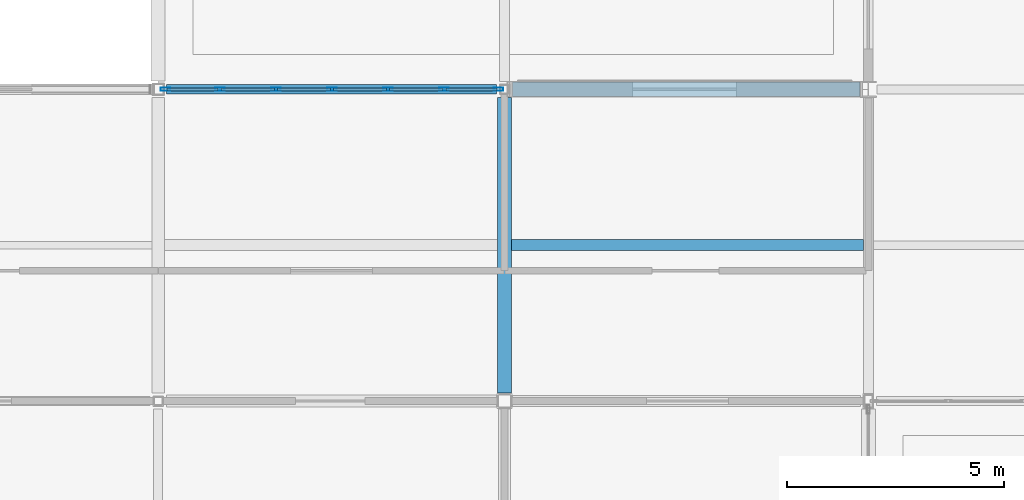
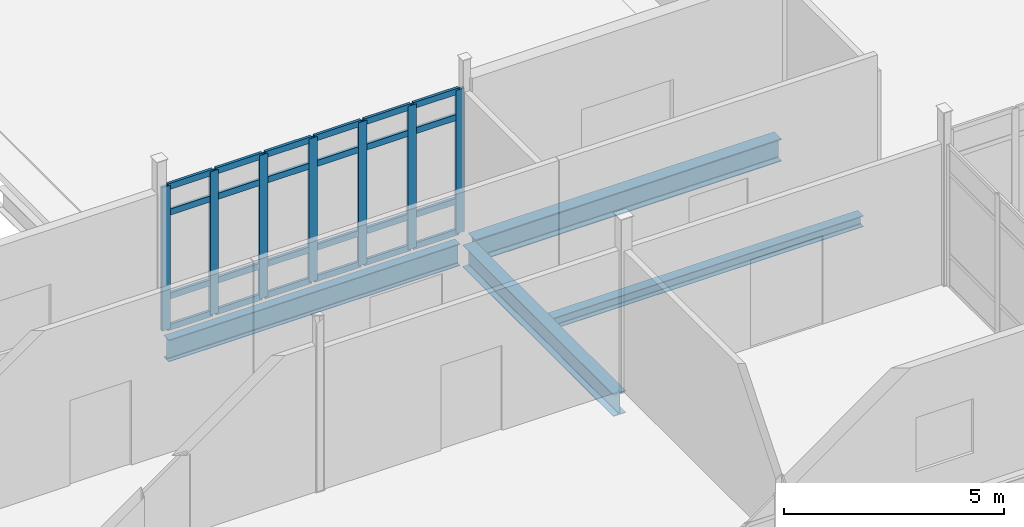
# One storey, part 55 of 186: 31 members, 4 beams, 1 element without a shape of its own.
"""IFC4 building model written with IfcOpenShell, lengths in metres."""

from ifc_helpers import new_model, si_unit, direction, frame, origin, origin_2d, place, context, subcontext, project, spatial, hollow_rectangle, i_section, extrude, material, layer, layer_set, material_profile, profile_set, type_object, element, aggregate, save


model = new_model("IFC4")

# Units and contexts
model_context = context("Model", 3, precision=1e-05, world=origin(), true_north=direction((0.0, 1.0)))
body_context = subcontext(model_context, "Body", "Model", "MODEL_VIEW")
ifc_project = project(units=[si_unit("LENGTHUNIT", "METRE"), si_unit("AREAUNIT", "SQUARE_METRE"), si_unit("VOLUMEUNIT", "CUBIC_METRE"), si_unit("PLANEANGLEUNIT", "RADIAN"), si_unit("MASSUNIT", "GRAM", prefix="KILO")], contexts=[model_context])

# Site, building, storey
site_placement = place(None, origin())
site = spatial("IfcSite", under=ifc_project, at=site_placement, CompositionType="ELEMENT")
building_placement = place(site_placement, origin())
building = spatial("IfcBuilding", under=site, at=building_placement, Name="Calvrana Isthmian Art Gallery", CompositionType="ELEMENT")
storey_placement = place(building_placement, frame((0.0, 0.0, 5.39990234375)))
storey = spatial("IfcBuildingStorey", under=building, at=storey_placement, Name="L01", CompositionType="ELEMENT", Elevation=5.39990234375)

# Beams
ifc_material_1 = material(Name="Steel ASTM A992 Gr 50", Category="steel")
ifc_material_profile_1 = material_profile(ifc_material_1, i_section(OverallWidth=0.324951171875, OverallDepth=0.612060546875, WebThickness=0.0126953125, FlangeThickness=0.01904296875, FilletRadius=0.02197265625, at=origin_2d()), Name="W24X104")
ifc_profile_set_1 = profile_set([ifc_material_profile_1], Name="Steel ASTM A992 Gr 50")
beam_type_1 = type_object("IfcBeamType", Name="BM-G-W24X104", PredefinedType="BEAM", material=ifc_profile_set_1)
beam_1_placement = place(storey_placement, frame((104.39990234375, 7.381591796875, -0.55078125), z_axis=(0.0, 1.0, 0.0), x_axis=(-1.0, 0.0, 0.0)))
element("IfcBeam", 1, at=beam_1_placement, inside=storey, type_object=beam_type_1, Name="Girder Y L01 14/B-C", PredefinedType="BEAM", context=body_context, shape_type="SweptSolid", body=[
    extrude(i_section(OverallWidth=0.324951171875, OverallDepth=0.612060546875, WebThickness=0.0126953125, FlangeThickness=0.01904296875, FilletRadius=0.02197265625, at=origin_2d()), origin(), (0.0, 0.0, 1.0), 6.83447265625),
])
ifc_material_profile_2 = material_profile(ifc_material_1, i_section(OverallWidth=0.327880859375, OverallDepth=0.6220703125, WebThickness=0.015380859375, FlangeThickness=0.0244140625, FilletRadius=0.02197265625, at=origin_2d()), Name="W24X131")
ifc_profile_set_2 = profile_set([ifc_material_profile_2], Name="Steel ASTM A992 Gr 50")
beam_type_2 = type_object("IfcBeamType", Name="BM-G-W24X131", PredefinedType="BEAM", material=ifc_profile_set_2)
beam_2_placement = place(storey_placement, frame((104.58642578125, 14.39990234375, -0.555908203125), z_axis=(1.0, 0.0, 0.0), x_axis=(0.0, 1.0, 0.0)))
element("IfcBeam", 2, at=beam_2_placement, inside=storey, type_object=beam_type_2, Name="Girder X L01 14-15/C", PredefinedType="BEAM", context=body_context, shape_type="SweptSolid", body=[
    extrude(i_section(OverallWidth=0.327880859375, OverallDepth=0.6220703125, WebThickness=0.015380859375, FlangeThickness=0.0244140625, FilletRadius=0.02197265625, at=origin_2d()), origin(), (0.0, 0.0, 1.0), 8.0166015625),
])
ifc_material_profile_3 = material_profile(ifc_material_1, i_section(OverallWidth=0.22802734375, OverallDepth=0.60693359375, WebThickness=0.01123046875, FlangeThickness=0.017333984375, FilletRadius=0.02197265625, at=origin_2d()), Name="W24X76")
ifc_profile_set_3 = profile_set([ifc_material_profile_3], Name="Steel ASTM A992 Gr 50")
beam_type_3 = type_object("IfcBeamType", Name="BM-G-W24X76", PredefinedType="BEAM", material=ifc_profile_set_3)
beam_3_placement = place(storey_placement, frame((96.58642578125, 14.39990234375, -0.54833984375), z_axis=(1.0, 0.0, 0.0), x_axis=(0.0, 1.0, 0.0)))
element("IfcBeam", 3, at=beam_3_placement, inside=storey, type_object=beam_type_3, Name="Girder X L01 13-14/C", PredefinedType="BEAM", context=body_context, shape_type="SweptSolid", body=[
    extrude(i_section(OverallWidth=0.22802734375, OverallDepth=0.60693359375, WebThickness=0.01123046875, FlangeThickness=0.017333984375, FilletRadius=0.02197265625, at=origin_2d()), origin(), (0.0, 0.0, 1.0), 7.626953125),
])
ifc_material_profile_4 = material_profile(ifc_material_1, i_section(OverallWidth=0.25390625, OverallDepth=0.306884765625, WebThickness=0.0087890625, FlangeThickness=0.0146484375, FilletRadius=0.01611328125, at=origin_2d()), Name="W12X53")
ifc_profile_set_4 = profile_set([ifc_material_profile_4], Name="Steel ASTM A992 Gr 50")
beam_type_4 = type_object("IfcBeamType", Name="BM-J-W12X53", PredefinedType="JOIST", material=ifc_profile_set_4)
beam_4_placement = place(storey_placement, frame((104.5625, 10.800048828125, -0.3984375), z_axis=(1.0, 0.0, 0.0), x_axis=(0.0, 1.0, 0.0)))
element("IfcBeam", 4, at=beam_4_placement, inside=storey, type_object=beam_type_4, Name="Composite joist L01 bay 13-01", PredefinedType="JOIST", context=body_context, shape_type="SweptSolid", body=[
    extrude(i_section(OverallWidth=0.25390625, OverallDepth=0.306884765625, WebThickness=0.0087890625, FlangeThickness=0.0146484375, FilletRadius=0.01611328125, at=origin_2d()), origin(), (0.0, 0.0, 1.0), 8.12353515625),
])

# Curtain wall, members
ifc_material_2 = material(Name="Anodized bronze aluminium 6063-T6", Category="aluminium")
ifc_layer = layer(ifc_material_2, 0.179931640625, Name="Anodized bronze aluminium 6063-T6")
ifc_layer_set = layer_set([ifc_layer], Name="Anodized bronze aluminium 6063-T6")
curtain_wall_type = type_object("IfcCurtainWallType", Name="CW-UNIT-078X40", PredefinedType="USERDEFINED", material=ifc_layer_set)
curtain_wall_placement = place(storey_placement, origin())
curtain_wall = element("IfcCurtainWall", 5, at=curtain_wall_placement, inside=storey, type_object=curtain_wall_type, Name="Curtain wall CW-088", ObjectType="UNITISED CURTAIN WALL", PredefinedType="USERDEFINED")
ifc_material_profile_5 = material_profile(ifc_material_2, hollow_rectangle(XDim=0.074951171875, YDim=0.219970703125, WallThickness=0.0048828125, at=origin_2d()), Name="CWM75X220")
ifc_profile_set_5 = profile_set([ifc_material_profile_5], Name="Anodized bronze aluminium 6063-T6")
member_type_1 = type_object("IfcMemberType", Name="CWM-CWM75X220", PredefinedType="MULLION", material=ifc_profile_set_5)
member_1_placement = place(storey_placement, frame((96.564453125, 14.39990234375, 0.0), z_axis=(0.0, 0.0, 1.0), x_axis=(0.0, 1.0, 0.0)))
member_1 = element("IfcMember", 6, at=member_1_placement, type_object=member_type_1, Name="CW-088 mullion 1", PredefinedType="MULLION", context=body_context, shape_type="SweptSolid", body=[
    extrude(hollow_rectangle(XDim=0.074951171875, YDim=0.219970703125, WallThickness=0.0048828125, at=origin_2d()), origin(), (0.0, 0.0, 1.0), 3.97119140625),
])
member_2_placement = place(storey_placement, frame((97.822265625, 14.39990234375, 0.0), z_axis=(0.0, 0.0, 1.0), x_axis=(0.0, 1.0, 0.0)))
member_2 = element("IfcMember", 7, at=member_2_placement, type_object=member_type_1, Name="CW-088 mullion 2", PredefinedType="MULLION", context=body_context, shape_type="SweptSolid", body=[
    extrude(hollow_rectangle(XDim=0.074951171875, YDim=0.219970703125, WallThickness=0.0048828125, at=origin_2d()), origin(), (0.0, 0.0, 1.0), 3.97119140625),
])
member_3_placement = place(storey_placement, frame((99.117431640625, 14.39990234375, 0.0), z_axis=(0.0, 0.0, 1.0), x_axis=(0.0, 1.0, 0.0)))
member_3 = element("IfcMember", 8, at=member_3_placement, type_object=member_type_1, Name="CW-088 mullion 3", PredefinedType="MULLION", context=body_context, shape_type="SweptSolid", body=[
    extrude(hollow_rectangle(XDim=0.074951171875, YDim=0.219970703125, WallThickness=0.0048828125, at=origin_2d()), origin(), (0.0, 0.0, 1.0), 3.97119140625),
])
member_4_placement = place(storey_placement, frame((100.41259765625, 14.39990234375, 0.0), z_axis=(0.0, 0.0, 1.0), x_axis=(0.0, 1.0, 0.0)))
member_4 = element("IfcMember", 9, at=member_4_placement, type_object=member_type_1, Name="CW-088 mullion 4", PredefinedType="MULLION", context=body_context, shape_type="SweptSolid", body=[
    extrude(hollow_rectangle(XDim=0.074951171875, YDim=0.219970703125, WallThickness=0.0048828125, at=origin_2d()), origin(), (0.0, 0.0, 1.0), 3.97119140625),
])
member_5_placement = place(storey_placement, frame((101.7080078125, 14.39990234375, 0.0), z_axis=(0.0, 0.0, 1.0), x_axis=(0.0, 1.0, 0.0)))
member_5 = element("IfcMember", 10, at=member_5_placement, type_object=member_type_1, Name="CW-088 mullion 5", PredefinedType="MULLION", context=body_context, shape_type="SweptSolid", body=[
    extrude(hollow_rectangle(XDim=0.074951171875, YDim=0.219970703125, WallThickness=0.0048828125, at=origin_2d()), origin(), (0.0, 0.0, 1.0), 3.97119140625),
])
member_6_placement = place(storey_placement, frame((103.003173828125, 14.39990234375, 0.0), z_axis=(0.0, 0.0, 1.0), x_axis=(0.0, 1.0, 0.0)))
member_6 = element("IfcMember", 11, at=member_6_placement, type_object=member_type_1, Name="CW-088 mullion 6", PredefinedType="MULLION", context=body_context, shape_type="SweptSolid", body=[
    extrude(hollow_rectangle(XDim=0.074951171875, YDim=0.219970703125, WallThickness=0.0048828125, at=origin_2d()), origin(), (0.0, 0.0, 1.0), 3.97119140625),
])
member_7_placement = place(storey_placement, frame((104.260986328125, 14.39990234375, 0.0), z_axis=(0.0, 0.0, 1.0), x_axis=(0.0, 1.0, 0.0)))
member_7 = element("IfcMember", 12, at=member_7_placement, type_object=member_type_1, Name="CW-088 mullion 7", PredefinedType="MULLION", context=body_context, shape_type="SweptSolid", body=[
    extrude(hollow_rectangle(XDim=0.074951171875, YDim=0.219970703125, WallThickness=0.0048828125, at=origin_2d()), origin(), (0.0, 0.0, 1.0), 3.97119140625),
])
ifc_material_profile_6 = material_profile(ifc_material_2, hollow_rectangle(XDim=0.070068359375, YDim=0.169921875, WallThickness=0.00439453125, at=origin_2d()), Name="CWT70X170")
ifc_profile_set_6 = profile_set([ifc_material_profile_6], Name="Anodized bronze aluminium 6063-T6")
member_type_2 = type_object("IfcMemberType", Name="CWT-CWT70X170", PredefinedType="USERDEFINED", material=ifc_profile_set_6)
member_8_placement = place(storey_placement, frame((96.60205078125, 14.39990234375, 0.03515625), z_axis=(1.0, 0.0, 0.0), x_axis=(0.0, 1.0, 0.0)))
member_8 = element("IfcMember", 13, at=member_8_placement, type_object=member_type_2, Name="CW-088 transom 1.1", ObjectType="TRANSOM", PredefinedType="USERDEFINED", context=body_context, shape_type="SweptSolid", body=[
    extrude(hollow_rectangle(XDim=0.070068359375, YDim=0.169921875, WallThickness=0.00439453125, at=origin_2d()), origin(), (0.0, 0.0, 1.0), 1.1826171875),
])
member_9_placement = place(storey_placement, frame((96.60205078125, 14.39990234375, 0.900146484375), z_axis=(1.0, 0.0, 0.0), x_axis=(0.0, 1.0, 0.0)))
member_9 = element("IfcMember", 14, at=member_9_placement, type_object=member_type_2, Name="CW-088 transom 1.2", ObjectType="TRANSOM", PredefinedType="USERDEFINED", context=body_context, shape_type="SweptSolid", body=[
    extrude(hollow_rectangle(XDim=0.070068359375, YDim=0.169921875, WallThickness=0.00439453125, at=origin_2d()), origin(), (0.0, 0.0, 1.0), 1.1826171875),
])
member_10_placement = place(storey_placement, frame((96.60205078125, 14.39990234375, 3.22119140625), z_axis=(1.0, 0.0, 0.0), x_axis=(0.0, 1.0, 0.0)))
member_10 = element("IfcMember", 15, at=member_10_placement, type_object=member_type_2, Name="CW-088 transom 1.3", ObjectType="TRANSOM", PredefinedType="USERDEFINED", context=body_context, shape_type="SweptSolid", body=[
    extrude(hollow_rectangle(XDim=0.070068359375, YDim=0.169921875, WallThickness=0.00439453125, at=origin_2d()), origin(), (0.0, 0.0, 1.0), 1.1826171875),
])
member_11_placement = place(storey_placement, frame((96.60205078125, 14.39990234375, 3.93603515625), z_axis=(1.0, 0.0, 0.0), x_axis=(0.0, 1.0, 0.0)))
member_11 = element("IfcMember", 16, at=member_11_placement, type_object=member_type_2, Name="CW-088 transom 1.4", ObjectType="TRANSOM", PredefinedType="USERDEFINED", context=body_context, shape_type="SweptSolid", body=[
    extrude(hollow_rectangle(XDim=0.070068359375, YDim=0.169921875, WallThickness=0.00439453125, at=origin_2d()), origin(), (0.0, 0.0, 1.0), 1.1826171875),
])
member_12_placement = place(storey_placement, frame((97.859619140625, 14.39990234375, 0.03515625), z_axis=(1.0, 0.0, 0.0), x_axis=(0.0, 1.0, 0.0)))
member_12 = element("IfcMember", 17, at=member_12_placement, type_object=member_type_2, Name="CW-088 transom 2.1", ObjectType="TRANSOM", PredefinedType="USERDEFINED", context=body_context, shape_type="SweptSolid", body=[
    extrude(hollow_rectangle(XDim=0.070068359375, YDim=0.169921875, WallThickness=0.00439453125, at=origin_2d()), origin(), (0.0, 0.0, 1.0), 1.220458984375),
])
member_13_placement = place(storey_placement, frame((97.859619140625, 14.39990234375, 0.900146484375), z_axis=(1.0, 0.0, 0.0), x_axis=(0.0, 1.0, 0.0)))
member_13 = element("IfcMember", 18, at=member_13_placement, type_object=member_type_2, Name="CW-088 transom 2.2", ObjectType="TRANSOM", PredefinedType="USERDEFINED", context=body_context, shape_type="SweptSolid", body=[
    extrude(hollow_rectangle(XDim=0.070068359375, YDim=0.169921875, WallThickness=0.00439453125, at=origin_2d()), origin(), (0.0, 0.0, 1.0), 1.220458984375),
])
member_14_placement = place(storey_placement, frame((97.859619140625, 14.39990234375, 3.22119140625), z_axis=(1.0, 0.0, 0.0), x_axis=(0.0, 1.0, 0.0)))
member_14 = element("IfcMember", 19, at=member_14_placement, type_object=member_type_2, Name="CW-088 transom 2.3", ObjectType="TRANSOM", PredefinedType="USERDEFINED", context=body_context, shape_type="SweptSolid", body=[
    extrude(hollow_rectangle(XDim=0.070068359375, YDim=0.169921875, WallThickness=0.00439453125, at=origin_2d()), origin(), (0.0, 0.0, 1.0), 1.220458984375),
])
member_15_placement = place(storey_placement, frame((97.859619140625, 14.39990234375, 3.93603515625), z_axis=(1.0, 0.0, 0.0), x_axis=(0.0, 1.0, 0.0)))
member_15 = element("IfcMember", 20, at=member_15_placement, type_object=member_type_2, Name="CW-088 transom 2.4", ObjectType="TRANSOM", PredefinedType="USERDEFINED", context=body_context, shape_type="SweptSolid", body=[
    extrude(hollow_rectangle(XDim=0.070068359375, YDim=0.169921875, WallThickness=0.00439453125, at=origin_2d()), origin(), (0.0, 0.0, 1.0), 1.220458984375),
])
member_16_placement = place(storey_placement, frame((99.155029296875, 14.39990234375, 0.03515625), z_axis=(1.0, 0.0, 0.0), x_axis=(0.0, 1.0, 0.0)))
member_16 = element("IfcMember", 21, at=member_16_placement, type_object=member_type_2, Name="CW-088 transom 3.1", ObjectType="TRANSOM", PredefinedType="USERDEFINED", context=body_context, shape_type="SweptSolid", body=[
    extrude(hollow_rectangle(XDim=0.070068359375, YDim=0.169921875, WallThickness=0.00439453125, at=origin_2d()), origin(), (0.0, 0.0, 1.0), 1.22021484375),
])
member_17_placement = place(storey_placement, frame((99.155029296875, 14.39990234375, 0.900146484375), z_axis=(1.0, 0.0, 0.0), x_axis=(0.0, 1.0, 0.0)))
member_17 = element("IfcMember", 22, at=member_17_placement, type_object=member_type_2, Name="CW-088 transom 3.2", ObjectType="TRANSOM", PredefinedType="USERDEFINED", context=body_context, shape_type="SweptSolid", body=[
    extrude(hollow_rectangle(XDim=0.070068359375, YDim=0.169921875, WallThickness=0.00439453125, at=origin_2d()), origin(), (0.0, 0.0, 1.0), 1.22021484375),
])
member_18_placement = place(storey_placement, frame((99.155029296875, 14.39990234375, 3.22119140625), z_axis=(1.0, 0.0, 0.0), x_axis=(0.0, 1.0, 0.0)))
member_18 = element("IfcMember", 23, at=member_18_placement, type_object=member_type_2, Name="CW-088 transom 3.3", ObjectType="TRANSOM", PredefinedType="USERDEFINED", context=body_context, shape_type="SweptSolid", body=[
    extrude(hollow_rectangle(XDim=0.070068359375, YDim=0.169921875, WallThickness=0.00439453125, at=origin_2d()), origin(), (0.0, 0.0, 1.0), 1.22021484375),
])
member_19_placement = place(storey_placement, frame((99.155029296875, 14.39990234375, 3.93603515625), z_axis=(1.0, 0.0, 0.0), x_axis=(0.0, 1.0, 0.0)))
member_19 = element("IfcMember", 24, at=member_19_placement, type_object=member_type_2, Name="CW-088 transom 3.4", ObjectType="TRANSOM", PredefinedType="USERDEFINED", context=body_context, shape_type="SweptSolid", body=[
    extrude(hollow_rectangle(XDim=0.070068359375, YDim=0.169921875, WallThickness=0.00439453125, at=origin_2d()), origin(), (0.0, 0.0, 1.0), 1.22021484375),
])
member_20_placement = place(storey_placement, frame((100.4501953125, 14.39990234375, 0.03515625), z_axis=(1.0, 0.0, 0.0), x_axis=(0.0, 1.0, 0.0)))
member_20 = element("IfcMember", 25, at=member_20_placement, type_object=member_type_2, Name="CW-088 transom 4.1", ObjectType="TRANSOM", PredefinedType="USERDEFINED", context=body_context, shape_type="SweptSolid", body=[
    extrude(hollow_rectangle(XDim=0.070068359375, YDim=0.169921875, WallThickness=0.00439453125, at=origin_2d()), origin(), (0.0, 0.0, 1.0), 1.22021484375),
])
member_21_placement = place(storey_placement, frame((100.4501953125, 14.39990234375, 0.900146484375), z_axis=(1.0, 0.0, 0.0), x_axis=(0.0, 1.0, 0.0)))
member_21 = element("IfcMember", 26, at=member_21_placement, type_object=member_type_2, Name="CW-088 transom 4.2", ObjectType="TRANSOM", PredefinedType="USERDEFINED", context=body_context, shape_type="SweptSolid", body=[
    extrude(hollow_rectangle(XDim=0.070068359375, YDim=0.169921875, WallThickness=0.00439453125, at=origin_2d()), origin(), (0.0, 0.0, 1.0), 1.22021484375),
])
member_22_placement = place(storey_placement, frame((100.4501953125, 14.39990234375, 3.22119140625), z_axis=(1.0, 0.0, 0.0), x_axis=(0.0, 1.0, 0.0)))
member_22 = element("IfcMember", 27, at=member_22_placement, type_object=member_type_2, Name="CW-088 transom 4.3", ObjectType="TRANSOM", PredefinedType="USERDEFINED", context=body_context, shape_type="SweptSolid", body=[
    extrude(hollow_rectangle(XDim=0.070068359375, YDim=0.169921875, WallThickness=0.00439453125, at=origin_2d()), origin(), (0.0, 0.0, 1.0), 1.22021484375),
])
member_23_placement = place(storey_placement, frame((100.4501953125, 14.39990234375, 3.93603515625), z_axis=(1.0, 0.0, 0.0), x_axis=(0.0, 1.0, 0.0)))
member_23 = element("IfcMember", 28, at=member_23_placement, type_object=member_type_2, Name="CW-088 transom 4.4", ObjectType="TRANSOM", PredefinedType="USERDEFINED", context=body_context, shape_type="SweptSolid", body=[
    extrude(hollow_rectangle(XDim=0.070068359375, YDim=0.169921875, WallThickness=0.00439453125, at=origin_2d()), origin(), (0.0, 0.0, 1.0), 1.22021484375),
])
member_24_placement = place(storey_placement, frame((101.745361328125, 14.39990234375, 0.03515625), z_axis=(1.0, 0.0, 0.0), x_axis=(0.0, 1.0, 0.0)))
member_24 = element("IfcMember", 29, at=member_24_placement, type_object=member_type_2, Name="CW-088 transom 5.1", ObjectType="TRANSOM", PredefinedType="USERDEFINED", context=body_context, shape_type="SweptSolid", body=[
    extrude(hollow_rectangle(XDim=0.070068359375, YDim=0.169921875, WallThickness=0.00439453125, at=origin_2d()), origin(), (0.0, 0.0, 1.0), 1.22021484375),
])
member_25_placement = place(storey_placement, frame((101.745361328125, 14.39990234375, 0.900146484375), z_axis=(1.0, 0.0, 0.0), x_axis=(0.0, 1.0, 0.0)))
member_25 = element("IfcMember", 30, at=member_25_placement, type_object=member_type_2, Name="CW-088 transom 5.2", ObjectType="TRANSOM", PredefinedType="USERDEFINED", context=body_context, shape_type="SweptSolid", body=[
    extrude(hollow_rectangle(XDim=0.070068359375, YDim=0.169921875, WallThickness=0.00439453125, at=origin_2d()), origin(), (0.0, 0.0, 1.0), 1.22021484375),
])
member_26_placement = place(storey_placement, frame((101.745361328125, 14.39990234375, 3.22119140625), z_axis=(1.0, 0.0, 0.0), x_axis=(0.0, 1.0, 0.0)))
member_26 = element("IfcMember", 31, at=member_26_placement, type_object=member_type_2, Name="CW-088 transom 5.3", ObjectType="TRANSOM", PredefinedType="USERDEFINED", context=body_context, shape_type="SweptSolid", body=[
    extrude(hollow_rectangle(XDim=0.070068359375, YDim=0.169921875, WallThickness=0.00439453125, at=origin_2d()), origin(), (0.0, 0.0, 1.0), 1.22021484375),
])
member_27_placement = place(storey_placement, frame((101.745361328125, 14.39990234375, 3.93603515625), z_axis=(1.0, 0.0, 0.0), x_axis=(0.0, 1.0, 0.0)))
member_27 = element("IfcMember", 32, at=member_27_placement, type_object=member_type_2, Name="CW-088 transom 5.4", ObjectType="TRANSOM", PredefinedType="USERDEFINED", context=body_context, shape_type="SweptSolid", body=[
    extrude(hollow_rectangle(XDim=0.070068359375, YDim=0.169921875, WallThickness=0.00439453125, at=origin_2d()), origin(), (0.0, 0.0, 1.0), 1.22021484375),
])
member_28_placement = place(storey_placement, frame((103.040771484375, 14.39990234375, 0.03515625), z_axis=(1.0, 0.0, 0.0), x_axis=(0.0, 1.0, 0.0)))
member_28 = element("IfcMember", 33, at=member_28_placement, type_object=member_type_2, Name="CW-088 transom 6.1", ObjectType="TRANSOM", PredefinedType="USERDEFINED", context=body_context, shape_type="SweptSolid", body=[
    extrude(hollow_rectangle(XDim=0.070068359375, YDim=0.169921875, WallThickness=0.00439453125, at=origin_2d()), origin(), (0.0, 0.0, 1.0), 1.1826171875),
])
member_29_placement = place(storey_placement, frame((103.040771484375, 14.39990234375, 0.900146484375), z_axis=(1.0, 0.0, 0.0), x_axis=(0.0, 1.0, 0.0)))
member_29 = element("IfcMember", 34, at=member_29_placement, type_object=member_type_2, Name="CW-088 transom 6.2", ObjectType="TRANSOM", PredefinedType="USERDEFINED", context=body_context, shape_type="SweptSolid", body=[
    extrude(hollow_rectangle(XDim=0.070068359375, YDim=0.169921875, WallThickness=0.00439453125, at=origin_2d()), origin(), (0.0, 0.0, 1.0), 1.1826171875),
])
member_30_placement = place(storey_placement, frame((103.040771484375, 14.39990234375, 3.22119140625), z_axis=(1.0, 0.0, 0.0), x_axis=(0.0, 1.0, 0.0)))
member_30 = element("IfcMember", 35, at=member_30_placement, type_object=member_type_2, Name="CW-088 transom 6.3", ObjectType="TRANSOM", PredefinedType="USERDEFINED", context=body_context, shape_type="SweptSolid", body=[
    extrude(hollow_rectangle(XDim=0.070068359375, YDim=0.169921875, WallThickness=0.00439453125, at=origin_2d()), origin(), (0.0, 0.0, 1.0), 1.1826171875),
])
member_31_placement = place(storey_placement, frame((103.040771484375, 14.39990234375, 3.93603515625), z_axis=(1.0, 0.0, 0.0), x_axis=(0.0, 1.0, 0.0)))
member_31 = element("IfcMember", 36, at=member_31_placement, type_object=member_type_2, Name="CW-088 transom 6.4", ObjectType="TRANSOM", PredefinedType="USERDEFINED", context=body_context, shape_type="SweptSolid", body=[
    extrude(hollow_rectangle(XDim=0.070068359375, YDim=0.169921875, WallThickness=0.00439453125, at=origin_2d()), origin(), (0.0, 0.0, 1.0), 1.1826171875),
])
aggregate(curtain_wall, [member_1, member_2, member_3, member_4, member_5, member_6, member_7, member_8, member_9, member_10, member_11, member_12, member_13, member_14, member_15, member_16, member_17, member_18, member_19, member_20, member_21, member_22, member_23, member_24, member_25, member_26, member_27, member_28, member_29, member_30, member_31])

save(model, "model.ifc")
